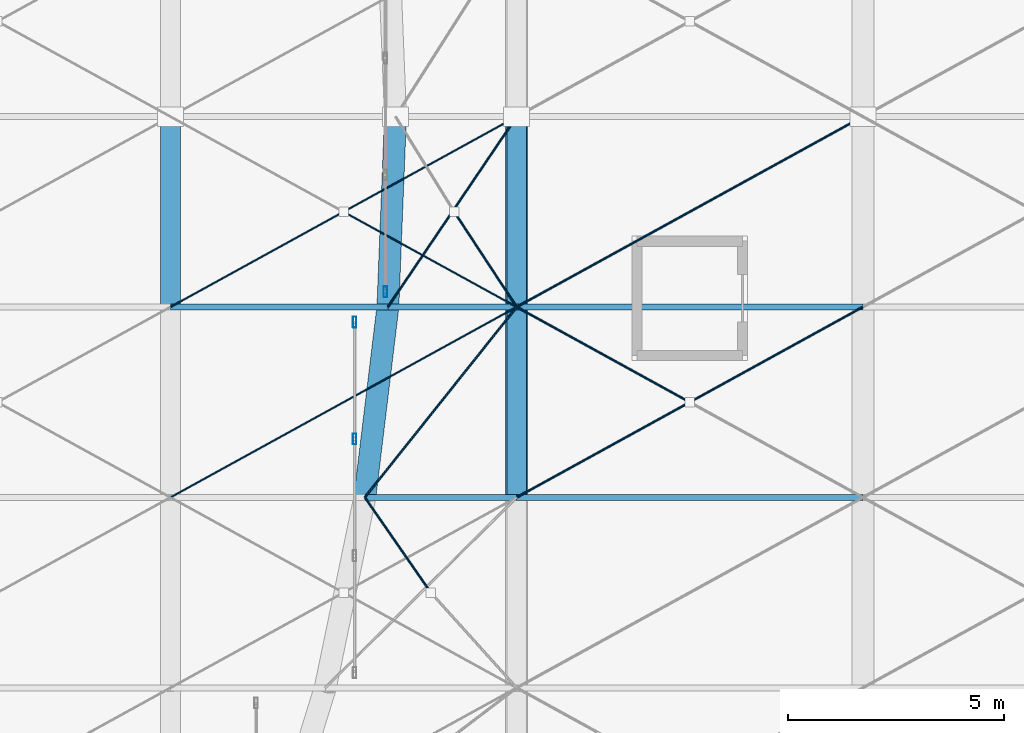
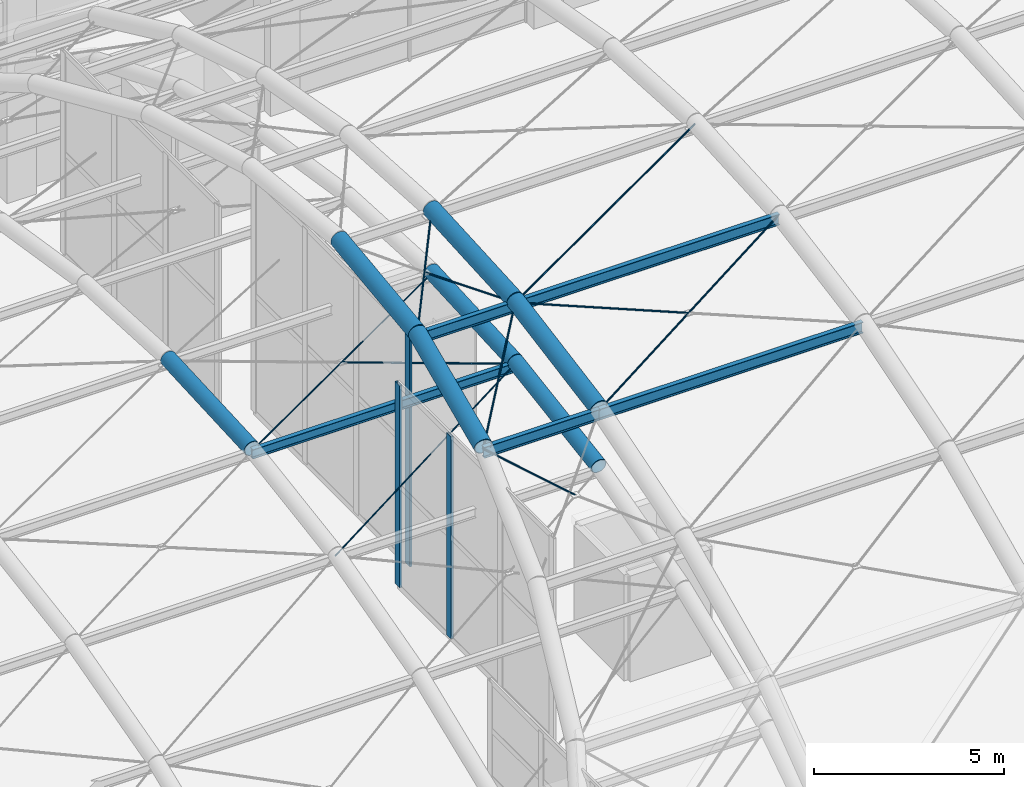
# One storey, part 44 of 163: 13 members, 12 beams, 2 elements without a shape of their own.
"""IFC4 building model written with IfcOpenShell, lengths in metres."""

import ifcopenshell
import ifcopenshell.guid

model = None  # the IFC model being written
_history = None  # IfcOwnerHistory: only IFC2X3 demands one
_inside = {}  # id of a spatial element -> (the spatial element, [elements in it])
_under = {}  # id of a project, library or spatial element -> (it, [spatial elements below it])
_declared = {}  # id of a project -> (the project, [libraries it declares])
_typed = {}  # id of a type object -> (the type object, [elements of that type])
_made_of = {}  # id of a material, layer set ... -> (it, [elements and type objects made of it])


def new_model(schema):
    """Start an empty IFC model of exactly this schema.

    Asked for "IFC4X3", IfcOpenShell would pick the latest addendum, in which some entities
    have other attributes; the version numbers below select the first issue.
    IFC2X3 requires an IfcOwnerHistory on every rooted entity: one is made here for all.
    """
    global model, _history
    if schema == "IFC4X3":
        model = ifcopenshell.file(schema_version=(4, 3, 0, 0))
    else:
        model = ifcopenshell.file(schema=schema)
    _inside.clear()
    _under.clear()
    _declared.clear()
    _typed.clear()
    _made_of.clear()
    _history = None
    if model.schema == "IFC2X3":
        org = make("IfcOrganization", Name="unknown")
        user = make(
            "IfcPersonAndOrganization",
            ThePerson=make("IfcPerson", FamilyName="unknown"),
            TheOrganization=org,
        )
        app = make(
            "IfcApplication",
            ApplicationDeveloper=org,
            Version="unknown",
            ApplicationFullName="unknown",
            ApplicationIdentifier="unknown",
        )
        _history = make(
            "IfcOwnerHistory",
            OwningUser=user,
            OwningApplication=app,
            ChangeAction="ADDED",
            CreationDate=0,
        )
    return model


def make(cls, **values):
    """One entity of the class cls with the attributes given. An attribute that is None is left unset."""
    return model.create_entity(
        cls, **{name: value for name, value in values.items() if value is not None}
    )


def rooted(cls, **values):
    """An entity with a GlobalId (a new one), such as an element, a storey or a relation."""
    return make(cls, GlobalId=ifcopenshell.guid.new(), OwnerHistory=_history, **values)


def si_unit(unit_type, name, prefix=None):
    """IfcSIUnit, for example si_unit("LENGTHUNIT", "METRE", prefix="MILLI")."""
    return make("IfcSIUnit", UnitType=unit_type, Prefix=prefix, Name=name)


def assignment(units):
    """IfcUnitAssignment: the units of a project."""
    return None if units is None else make("IfcUnitAssignment", Units=units)


def point(xyz):
    """IfcCartesianPoint."""
    return None if xyz is None else make("IfcCartesianPoint", Coordinates=xyz)


def direction(xyz):
    """IfcDirection."""
    return None if xyz is None else make("IfcDirection", DirectionRatios=xyz)


def frame(location, z_axis=None, x_axis=None):
    """IfcAxis2Placement3D, a coordinate frame: its origin and axes. An axis left out is left unset."""
    return make(
        "IfcAxis2Placement3D",
        Location=point(location),
        Axis=direction(z_axis),
        RefDirection=direction(x_axis),
    )


def frame_2d(location, x_axis=None):
    """IfcAxis2Placement2D, a coordinate frame in the plane: its origin and x axis."""
    return make(
        "IfcAxis2Placement2D", Location=point(location), RefDirection=direction(x_axis)
    )


def origin():
    """The frame at (0, 0, 0) with its axes left unset."""
    return frame((0.0, 0.0, 0.0))


def origin_2d():
    """The frame at (0, 0) in the plane with its x axis left unset."""
    return frame_2d((0.0, 0.0))


def place(relative_to, where):
    """IfcLocalPlacement: puts the frame where relative to a parent placement (None: the world)."""
    return make(
        "IfcLocalPlacement", PlacementRelTo=relative_to, RelativePlacement=where
    )


def context(
    kind, dimensions, precision=None, world=None, true_north=None, identifier=None
):
    """IfcGeometricRepresentationContext, for example the 3D "Model" context."""
    return make(
        "IfcGeometricRepresentationContext",
        ContextIdentifier=identifier,
        ContextType=kind,
        CoordinateSpaceDimension=dimensions,
        Precision=precision,
        WorldCoordinateSystem=world,
        TrueNorth=true_north,
    )


def subcontext(parent, identifier, kind, view, scale=None):
    """IfcGeometricRepresentationSubContext, for example "Body" below "Model"."""
    return make(
        "IfcGeometricRepresentationSubContext",
        ContextIdentifier=identifier,
        ContextType=kind,
        ParentContext=parent,
        TargetScale=scale,
        TargetView=view,
    )


def project(units=None, contexts=None):
    """IfcProject with its units and contexts."""
    return rooted(
        "IfcProject",
        Name="project",
        RepresentationContexts=contexts,
        UnitsInContext=assignment(units),
    )


def spatial(cls, under=None, at=None, **own):
    """A site, building, storey or space (cls), placed at a placement, below another one or the project."""
    s = rooted(cls, ObjectPlacement=at, **own)
    if under is not None:
        _under.setdefault(under.id(), (under, []))[1].append(s)
    return s


def profile(cls, at=None, kind="AREA", **sizes):
    """A parametric profile (cls). Its sizes go by their IFC names, for example OverallWidth=200.0."""
    return make(cls, ProfileType=kind, Position=at, **sizes)


def hollow_rectangle(**sizes):
    """IfcRectangleHollowProfileDef."""
    return profile("IfcRectangleHollowProfileDef", **sizes)


def circle(**sizes):
    """IfcCircleProfileDef."""
    return profile("IfcCircleProfileDef", **sizes)


def hollow_circle(**sizes):
    """IfcCircleHollowProfileDef."""
    return profile("IfcCircleHollowProfileDef", **sizes)


def i_section(**sizes):
    """IfcIShapeProfileDef."""
    return profile("IfcIShapeProfileDef", **sizes)


def extrude(swept, where, along, depth):
    """IfcExtrudedAreaSolid: the profile swept, set in the frame where, extruded along a direction by depth."""
    return make(
        "IfcExtrudedAreaSolid",
        SweptArea=swept,
        Position=where,
        ExtrudedDirection=direction(along),
        Depth=depth,
    )


def shape(context_of_items, identifier, shape_type, items):
    """IfcShapeRepresentation: the items that make up one representation, for example the "Body"."""
    return make(
        "IfcShapeRepresentation",
        ContextOfItems=context_of_items,
        RepresentationIdentifier=identifier,
        RepresentationType=shape_type,
        Items=items,
    )


def material(Name=None, Category=None):
    """IfcMaterial."""
    return make("IfcMaterial", Name=Name, Category=Category)


def material_profile(
    of_material, cross_section, Name=None, Category=None, Priority=None
):
    """IfcMaterialProfile: a cross section and its material."""
    return make(
        "IfcMaterialProfile",
        Name=Name,
        Material=of_material,
        Profile=cross_section,
        Priority=Priority,
        Category=Category,
    )


def profile_set(profiles, Name=None, composite=None):
    """IfcMaterialProfileSet."""
    return make(
        "IfcMaterialProfileSet",
        Name=Name,
        MaterialProfiles=profiles,
        CompositeProfile=composite,
    )


def made_of(thing, what):
    """Note that an element or type object is made of a material, layer set ...; save() writes the relation."""
    if what is not None:
        _made_of.setdefault(what.id(), (what, []))[1].append(thing)
    return thing


def type_object(cls, material=None, **own):
    """A type object (cls), such as IfcWallType, which elements share."""
    return made_of(rooted(cls, **own), material)


def element(
    cls,
    number,
    at=None,
    inside=None,
    cuts=None,
    type_object=None,
    material=None,
    context=None,
    identifier="Body",
    shape_type=None,
    held_by="IfcProductDefinitionShape",
    body=None,
    shapes=None,
    **own,
):
    """One element of the class cls, such as IfcWall. Its Tag is "e" and its number.

    at: its placement. inside: the storey or other place that contains it. cuts: it is an
    opening in that element (IfcRelVoidsElement). A single representation is given by context,
    identifier, shape_type and body (its items); several are given by shapes. held_by: the class
    of the entity that holds the representations. save() writes the other relations.
    """
    e = rooted(cls, Tag="e%d" % number, ObjectPlacement=at, **own)
    if body is not None:
        shapes = [shape(context, identifier, shape_type, body)]
    if shapes is not None:
        e.Representation = make(held_by, Representations=shapes)
    if inside is not None:
        _inside.setdefault(inside.id(), (inside, []))[1].append(e)
    if cuts is not None:
        rooted(
            "IfcRelVoidsElement", RelatingBuildingElement=cuts, RelatedOpeningElement=e
        )
    if type_object is not None:
        _typed.setdefault(type_object.id(), (type_object, []))[1].append(e)
    return made_of(e, material)


def aggregate(whole, parts):
    """IfcRelAggregates: a whole, such as a stair, and the parts it consists of."""
    return rooted("IfcRelAggregates", RelatingObject=whole, RelatedObjects=parts)


def save(model, path):
    """Write the relations noted so far, then the file.

    IfcRelAggregates (storeys below a building ...), IfcRelContainedInSpatialStructure (elements
    in a storey), IfcRelDefinesByType, IfcRelAssociatesMaterial and IfcRelDeclares: one each for
    every whole, place, type object, material and project.
    """
    for whole, parts in _under.values():
        aggregate(whole, parts)
    for where, things in _inside.values():
        rooted(
            "IfcRelContainedInSpatialStructure",
            RelatedElements=things,
            RelatingStructure=where,
        )
    for kind, things in _typed.values():
        rooted("IfcRelDefinesByType", RelatedObjects=things, RelatingType=kind)
    for what, things in _made_of.values():
        rooted("IfcRelAssociatesMaterial", RelatedObjects=things, RelatingMaterial=what)
    for by, libraries in _declared.values():
        rooted("IfcRelDeclares", RelatingContext=by, RelatedDefinitions=libraries)
    model.write(path)


model = new_model("IFC4")

# Units and contexts
model_context = context("Model", 3, precision=1e-05, world=origin(), true_north=direction((0.0, 1.0)))
body_context = subcontext(model_context, "Body", "Model", "MODEL_VIEW")
ifc_project = project(units=[si_unit("LENGTHUNIT", "METRE"), si_unit("AREAUNIT", "SQUARE_METRE"), si_unit("VOLUMEUNIT", "CUBIC_METRE"), si_unit("PLANEANGLEUNIT", "RADIAN"), si_unit("MASSUNIT", "GRAM", prefix="KILO")], contexts=[model_context])

# Site, building, storey
site_placement = place(None, origin())
site = spatial("IfcSite", under=ifc_project, at=site_placement, CompositionType="ELEMENT")
building_placement = place(site_placement, origin())
building = spatial("IfcBuilding", under=site, at=building_placement, Name="Varnabhumi Central Station", CompositionType="ELEMENT")
storey_placement = place(building_placement, frame((0.0, 0.0, 9.60009765625)))
storey = spatial("IfcBuildingStorey", under=building, at=storey_placement, Name="L02", CompositionType="ELEMENT", Elevation=9.60009765625)

# Beams
ifc_material_1 = material(Name="Structural steel E450", Category="steel")
ifc_material_profile_1 = material_profile(ifc_material_1, hollow_circle(Radius=0.228515625, WallThickness=0.01611328125, at=origin_2d()), Name="Structural steel E450", Category="steel")
ifc_profile_set_1 = profile_set([ifc_material_profile_1], Name="Structural steel E450")
beam_type_1 = type_object("IfcBeamType", Name="BM-ARCH-CHS457", PredefinedType="BEAM", material=ifc_profile_set_1)
beam_1_placement = place(storey_placement, frame((72.0, 53.60009765625, 10.520263671875), z_axis=(0.0, 0.998639632098, 0.052142930518), x_axis=(-1.0, 0.0, 0.0)))
element("IfcBeam", 1, at=beam_1_placement, inside=storey, type_object=beam_type_1, Name="Ticket Hall Vault Arch Rib 5 Seg 5", PredefinedType="BEAM", context=body_context, shape_type="SweptSolid", body=[
    extrude(hollow_circle(Radius=0.228515625, WallThickness=0.01611328125, at=origin_2d()), origin(), (0.0, 0.0, 1.0), 4.406005859375),
])
beam_2_placement = place(storey_placement, frame((80.0, 49.199951171875, 9.8232421875), z_axis=(0.0, 0.987684638155, 0.156457839535), x_axis=(-1.0, 0.0, 0.0)))
element("IfcBeam", 2, at=beam_2_placement, inside=storey, type_object=beam_type_1, Name="Ticket Hall Vault Arch Rib 6 Seg 4", PredefinedType="BEAM", context=body_context, shape_type="SweptSolid", body=[
    extrude(hollow_circle(Radius=0.228515625, WallThickness=0.01611328125, at=origin_2d()), origin(), (0.0, 0.0, 1.0), 4.455078125),
])
beam_3_placement = place(storey_placement, frame((80.0, 53.60009765625, 10.520263671875), z_axis=(0.0, 0.998639632098, 0.052142930518), x_axis=(-1.0, 0.0, 0.0)))
element("IfcBeam", 3, at=beam_3_placement, inside=storey, type_object=beam_type_1, Name="Ticket Hall Vault Arch Rib 6 Seg 5", PredefinedType="BEAM", context=body_context, shape_type="SweptSolid", body=[
    extrude(hollow_circle(Radius=0.228515625, WallThickness=0.01611328125, at=origin_2d()), origin(), (0.0, 0.0, 1.0), 4.406005859375),
])
ifc_material_2 = material(Name="Structural steel E350", Category="steel")
ifc_material_profile_2 = material_profile(ifc_material_2, hollow_circle(Radius=0.25390625, WallThickness=0.02001953125, at=origin_2d()), Name="Structural steel E350", Category="steel")
ifc_profile_set_2 = profile_set([ifc_material_profile_2], Name="Structural steel E350")
beam_type_2 = type_object("IfcBeamType", Name="BM-ARCH-CHS508", PredefinedType="BEAM", material=ifc_profile_set_2)
beam_4_placement = place(storey_placement, frame((76.491455078125, 49.199951171875, 11.68701171875), z_axis=(0.118334185872, 0.976975278042, 0.177528382377), x_axis=(-0.992744345989, 0.120244182838, 0.0)))
element("IfcBeam", 4, at=beam_4_placement, inside=storey, type_object=beam_type_2, Name="Departure Concourse Vault Arch Rib 1 Seg 4", PredefinedType="BEAM", context=body_context, shape_type="SweptSolid", body=[
    extrude(hollow_circle(Radius=0.25390625, WallThickness=0.02001953125, at=origin_2d()), origin(), (0.0, 0.0, 1.0), 4.50390625),
])
beam_5_placement = place(storey_placement, frame((77.0244140625, 53.60009765625, 12.486572265625), z_axis=(0.039792827484, 0.997421887225, 0.059716913568), x_axis=(-0.999205116003, 0.039863970614, 0.0)))
element("IfcBeam", 5, at=beam_5_placement, inside=storey, type_object=beam_type_2, Name="Departure Concourse Vault Arch Rib 1 Seg 5", PredefinedType="BEAM", context=body_context, shape_type="SweptSolid", body=[
    extrude(hollow_circle(Radius=0.25390625, WallThickness=0.02001953125, at=origin_2d()), origin(), (0.0, 0.0, 1.0), 4.411376953125),
])
beam_6_placement = place(storey_placement, frame((80.0, 49.199951171875, 11.68701171875), z_axis=(0.0, 0.983888247404, 0.17878455364), x_axis=(-1.0, 0.0, 0.0)))
element("IfcBeam", 6, at=beam_6_placement, inside=storey, type_object=beam_type_2, Name="Departure Concourse Vault Arch Rib 2 Seg 4", PredefinedType="BEAM", context=body_context, shape_type="SweptSolid", body=[
    extrude(hollow_circle(Radius=0.25390625, WallThickness=0.02001953125, at=origin_2d()), origin(), (0.0, 0.0, 1.0), 4.47216796875),
])
beam_7_placement = place(storey_placement, frame((80.0, 53.60009765625, 12.486572265625), z_axis=(0.0, 0.998212519684, 0.059764249736), x_axis=(-1.0, 0.0, 0.0)))
element("IfcBeam", 7, at=beam_7_placement, inside=storey, type_object=beam_type_2, Name="Departure Concourse Vault Arch Rib 2 Seg 5", PredefinedType="BEAM", context=body_context, shape_type="SweptSolid", body=[
    extrude(hollow_circle(Radius=0.25390625, WallThickness=0.02001953125, at=origin_2d()), origin(), (0.0, 0.0, 1.0), 4.40771484375),
])
ifc_material_profile_3 = material_profile(ifc_material_2, i_section(OverallWidth=0.139892578125, OverallDepth=0.300048828125, WebThickness=0.0078125, FlangeThickness=0.01318359375, FilletRadius=0.013916015625, at=origin_2d()), Name="Structural steel E350", Category="steel")
ifc_profile_set_3 = profile_set([ifc_material_profile_3], Name="Structural steel E350")
beam_type_3 = type_object("IfcBeamType", Name="BM-PUR-ISMB300", PredefinedType="LINTEL", material=ifc_profile_set_3)
beam_8_placement = place(storey_placement, frame((72.0, 53.60009765625, 10.370361328125), z_axis=(1.0, 0.0, 0.0), x_axis=(0.0, 1.0, 0.0)))
element("IfcBeam", 8, at=beam_8_placement, inside=storey, type_object=beam_type_3, Name="Ticket Hall Vault Purlin B5-L4", PredefinedType="LINTEL", context=body_context, shape_type="SweptSolid", body=[
    extrude(i_section(OverallWidth=0.139892578125, OverallDepth=0.300048828125, WebThickness=0.0078125, FlangeThickness=0.01318359375, FilletRadius=0.013916015625, at=origin_2d()), origin(), (0.0, 0.0, 1.0), 8.0),
])
ifc_material_profile_4 = material_profile(ifc_material_2, i_section(OverallWidth=0.139892578125, OverallDepth=0.35009765625, WebThickness=0.008056640625, FlangeThickness=0.01416015625, FilletRadius=0.013916015625, at=origin_2d()), Name="Structural steel E350", Category="steel")
ifc_profile_set_4 = profile_set([ifc_material_profile_4], Name="Structural steel E350")
beam_type_4 = type_object("IfcBeamType", Name="BM-PUR-ISMB350", PredefinedType="LINTEL", material=ifc_profile_set_4)
beam_9_placement = place(storey_placement, frame((76.491455078125, 49.199951171875, 11.511962890625), z_axis=(1.0, 0.0, 0.0), x_axis=(0.0, 1.0, 0.0)))
element("IfcBeam", 9, at=beam_9_placement, inside=storey, type_object=beam_type_4, Name="Departure Concourse Vault Purlin B1-L3", PredefinedType="LINTEL", context=body_context, shape_type="SweptSolid", body=[
    extrude(i_section(OverallWidth=0.139892578125, OverallDepth=0.35009765625, WebThickness=0.008056640625, FlangeThickness=0.01416015625, FilletRadius=0.013916015625, at=origin_2d()), origin(), (0.0, 0.0, 1.0), 3.508544921875),
])
beam_10_placement = place(storey_placement, frame((77.0244140625, 53.60009765625, 12.3115234375), z_axis=(1.0, 0.0, 0.0), x_axis=(0.0, 1.0, 0.0)))
element("IfcBeam", 10, at=beam_10_placement, inside=storey, type_object=beam_type_4, Name="Departure Concourse Vault Purlin B1-L4", PredefinedType="LINTEL", context=body_context, shape_type="SweptSolid", body=[
    extrude(i_section(OverallWidth=0.139892578125, OverallDepth=0.35009765625, WebThickness=0.008056640625, FlangeThickness=0.01416015625, FilletRadius=0.013916015625, at=origin_2d()), origin(), (0.0, 0.0, 1.0), 2.9755859375),
])
for number, where, z_axis, x_axis, name in (
    (11, (80.0, 49.199951171875, 11.511962890625), (1.0, 0.0, 0.0), (0.0, 1.0, 0.0), "Departure Concourse Vault Purlin B2-L3"),
    (12, (80.0, 53.60009765625, 12.3115234375), (1.0, 0.0, 0.0), (0.0, 1.0, 0.0), "Departure Concourse Vault Purlin B2-L4"),
):
    element("IfcBeam", number, at=place(storey_placement, frame(where, z_axis=z_axis, x_axis=x_axis)), inside=storey, type_object=beam_type_4, Name=name, PredefinedType="LINTEL", context=body_context, shape_type="SweptSolid", body=[
        extrude(i_section(OverallWidth=0.139892578125, OverallDepth=0.35009765625, WebThickness=0.008056640625, FlangeThickness=0.01416015625, FilletRadius=0.013916015625, at=origin_2d()), origin(), (0.0, 0.0, 1.0), 8.0),
    ])

# Curtain wall, members
ifc_material_3 = material(Name="Anodised aluminium 6063-T6", Category="aluminium")
curtain_wall_type = type_object("IfcCurtainWallType", Name="CW-VAULT-ARCH-V4", PredefinedType="NOTDEFINED", material=ifc_material_3)
curtain_wall_1_placement = place(storey_placement, origin())
curtain_wall_1 = element("IfcCurtainWall", 13, at=curtain_wall_1_placement, inside=storey, type_object=curtain_wall_type, Name="Curtain Wall CW-V42", PredefinedType="NOTDEFINED")
ifc_material_profile_5 = material_profile(ifc_material_3, hollow_rectangle(XDim=0.080078125, YDim=0.25, WallThickness=0.0048828125, InnerFilletRadius=0.0009765625, OuterFilletRadius=0.006103515625, at=origin_2d()), Name="Anodised aluminium 6063-T6", Category="aluminium")
ifc_profile_set_5 = profile_set([ifc_material_profile_5], Name="Anodised aluminium 6063-T6")
member_type_1 = type_object("IfcMemberType", Name="CW-MUL-250", PredefinedType="MULLION", material=ifc_profile_set_5)
member_1_placement = place(storey_placement, frame((76.258056640625, 50.550048828125, 4.849853515625), z_axis=(0.0, 0.0, 1.0), x_axis=(1.0, 0.0, 0.0)))
member_1 = element("IfcMember", 14, at=member_1_placement, type_object=member_type_1, Name="Curtain Wall Mullion CW-V42-M3", PredefinedType="MULLION", context=body_context, shape_type="SweptSolid", body=[
    extrude(hollow_rectangle(XDim=0.080078125, YDim=0.25, WallThickness=0.0048828125, InnerFilletRadius=0.0009765625, OuterFilletRadius=0.006103515625, at=origin_2d()), origin(), (0.0, 0.0, 1.0), 6.487060546875),
])
member_2_placement = place(storey_placement, frame((76.258056640625, 53.25, 4.849853515625), z_axis=(0.0, 0.0, 1.0), x_axis=(1.0, 0.0, 0.0)))
member_2 = element("IfcMember", 15, at=member_2_placement, type_object=member_type_1, Name="Curtain Wall Mullion CW-V42-M4", PredefinedType="MULLION", context=body_context, shape_type="SweptSolid", body=[
    extrude(hollow_rectangle(XDim=0.080078125, YDim=0.25, WallThickness=0.0048828125, InnerFilletRadius=0.0009765625, OuterFilletRadius=0.006103515625, at=origin_2d()), origin(), (0.0, 0.0, 1.0), 6.487060546875),
])
aggregate(curtain_wall_1, [member_1, member_2])

# Curtain wall, member
curtain_wall_2_placement = place(storey_placement, origin())
curtain_wall_2 = element("IfcCurtainWall", 16, at=curtain_wall_2_placement, inside=storey, type_object=curtain_wall_type, Name="Curtain Wall CW-V43", PredefinedType="NOTDEFINED")
member_3_placement = place(storey_placement, frame((76.967041015625, 53.949951171875, 4.849853515625), z_axis=(0.0, 0.0, 1.0), x_axis=(1.0, 0.0, 0.0)))
member_3 = element("IfcMember", 17, at=member_3_placement, type_object=member_type_1, Name="Curtain Wall Mullion CW-V43-M1", PredefinedType="MULLION", context=body_context, shape_type="SweptSolid", body=[
    extrude(hollow_rectangle(XDim=0.080078125, YDim=0.25, WallThickness=0.0048828125, InnerFilletRadius=0.0009765625, OuterFilletRadius=0.006103515625, at=origin_2d()), origin(), (0.0, 0.0, 1.0), 7.550048828125),
])
aggregate(curtain_wall_2, [member_3])

# Members
ifc_material_4 = material(Name="Spiral-strand steel S1570", Category="steel")
ifc_material_profile_6 = material_profile(ifc_material_4, circle(Radius=0.02099609375, at=origin_2d()), Name="Spiral-strand steel S1570", Category="steel")
ifc_profile_set_6 = profile_set([ifc_material_profile_6], Name="Spiral-strand steel S1570")
member_type_2 = type_object("IfcMemberType", Name="MBR-CABLE-D42", PredefinedType="USERDEFINED", material=ifc_profile_set_6)
member_4_placement = place(storey_placement, frame((72.0, 49.199951171875, 9.743408203125), z_axis=(0.873668690933, 0.480533777365, 0.076094068723), x_axis=(-0.481931067474, 0.876209133828, 0.0)))
element("IfcMember", 18, at=member_4_placement, inside=storey, type_object=member_type_2, Name="Ticket Hall Vault Cable-Net Tie B5-P4A", ObjectType="TENSION CABLE", PredefinedType="USERDEFINED", context=body_context, shape_type="SweptSolid", body=[
    extrude(circle(Radius=0.02099609375, at=origin_2d()), origin(), (0.0, 0.0, 1.0), 9.15673828125),
])
member_5_placement = place(storey_placement, frame((72.0, 53.60009765625, 10.440185546875), z_axis=(0.875943167688, 0.481758049563, 0.025154495874), x_axis=(-0.481910537812, 0.876220425204, 0.0)))
element("IfcMember", 19, at=member_5_placement, inside=storey, type_object=member_type_2, Name="Ticket Hall Vault Cable-Net Tie B5-P5A", ObjectType="TENSION CABLE", PredefinedType="USERDEFINED", context=body_context, shape_type="SweptSolid", body=[
    extrude(circle(Radius=0.02099609375, at=origin_2d()), origin(), (0.0, 0.0, 1.0), 9.133056640625),
])
member_6_placement = place(storey_placement, frame((76.0, 55.800048828125, 10.55517578125), z_axis=(0.875942578372, -0.481757725446, -0.025181210597), x_axis=(0.481910537812, 0.876220425204, 0.0)))
element("IfcMember", 20, at=member_6_placement, inside=storey, type_object=member_type_2, Name="Ticket Hall Vault Cable-Net Split Tie B5-P5B2", ObjectType="TENSION CABLE", PredefinedType="USERDEFINED", context=body_context, shape_type="SweptSolid", body=[
    extrude(circle(Radius=0.02099609375, at=origin_2d()), origin(), (0.0, 0.0, 1.0), 4.56640625),
])
ifc_material_profile_7 = material_profile(ifc_material_4, circle(Radius=0.027099609375, at=origin_2d()), Name="Spiral-strand steel S1570", Category="steel")
ifc_profile_set_7 = profile_set([ifc_material_profile_7], Name="Spiral-strand steel S1570")
member_type_3 = type_object("IfcMemberType", Name="MBR-CABLE-D54", PredefinedType="USERDEFINED", material=ifc_profile_set_7)
member_7_placement = place(storey_placement, frame((76.491455078125, 49.199951171875, 11.60693359375), z_axis=(0.552052080786, -0.79605397663, -0.248065649359), x_axis=(0.821738885077, 0.569864198518, 0.0)))
element("IfcMember", 21, at=member_7_placement, inside=storey, type_object=member_type_3, Name="Departure Concourse Vault Cable-Net Split Tie B1-P3B1", ObjectType="TENSION CABLE", PredefinedType="USERDEFINED", context=body_context, shape_type="SweptSolid", body=[
    extrude(circle(Radius=0.027099609375, at=origin_2d()), origin(), (0.0, 0.0, 1.0), 2.763671875),
])
member_8_placement = place(storey_placement, frame((76.491455078125, 49.199951171875, 11.60693359375), z_axis=(0.617241871441, 0.774097157399, 0.140662941269), x_axis=(-0.78187087555, 0.623440401295, 0.0)))
element("IfcMember", 22, at=member_8_placement, inside=storey, type_object=member_type_3, Name="Departure Concourse Vault Cable-Net Tie B1-P4A", ObjectType="TENSION CABLE", PredefinedType="USERDEFINED", context=body_context, shape_type="SweptSolid", body=[
    extrude(circle(Radius=0.027099609375, at=origin_2d()), origin(), (0.0, 0.0, 1.0), 5.684326171875),
])
member_9_placement = place(storey_placement, frame((77.0244140625, 53.60009765625, 12.406494140625), z_axis=(0.559515954748, 0.82733808143, 0.049533780372), x_axis=(-0.828354929468, 0.560203633357, 0.0)))
element("IfcMember", 23, at=member_9_placement, inside=storey, type_object=member_type_3, Name="Departure Concourse Vault Cable-Net Tie B1-P5A", ObjectType="TENSION CABLE", PredefinedType="USERDEFINED", context=body_context, shape_type="SweptSolid", body=[
    extrude(circle(Radius=0.027099609375, at=origin_2d()), origin(), (0.0, 0.0, 1.0), 5.318115234375),
])
member_10_placement = place(storey_placement, frame((78.55615234375, 55.800048828125, 12.5380859375), z_axis=(0.548006107021, -0.834981912472, -0.049945094975), x_axis=(0.836025301353, 0.548690892487, 0.0)))
element("IfcMember", 24, at=member_10_placement, inside=storey, type_object=member_type_3, Name="Departure Concourse Vault Cable-Net Split Tie B1-P5B2", ObjectType="TENSION CABLE", PredefinedType="USERDEFINED", context=body_context, shape_type="SweptSolid", body=[
    extrude(circle(Radius=0.027099609375, at=origin_2d()), origin(), (0.0, 0.0, 1.0), 2.634765625),
])
member_11_placement = place(storey_placement, frame((80.0, 49.199951171875, 11.60693359375), z_axis=(0.872868515511, 0.480093666231, 0.087238903451), x_axis=(-0.481931067474, 0.876209133828, 0.0)))
element("IfcMember", 25, at=member_11_placement, inside=storey, type_object=member_type_3, Name="Departure Concourse Vault Cable-Net Tie B2-P4A", ObjectType="TENSION CABLE", PredefinedType="USERDEFINED", context=body_context, shape_type="SweptSolid", body=[
    extrude(circle(Radius=0.027099609375, at=origin_2d()), origin(), (0.0, 0.0, 1.0), 9.165283203125),
])
member_12_placement = place(storey_placement, frame((80.0, 53.60009765625, 12.406494140625), z_axis=(0.872859380641, -0.480115279439, -0.087211352912), x_axis=(0.481951596342, 0.876197842262, 0.0)))
element("IfcMember", 26, at=member_12_placement, inside=storey, type_object=member_type_3, Name="Departure Concourse Vault Cable-Net Split Tie B2-P4B1", ObjectType="TENSION CABLE", PredefinedType="USERDEFINED", context=body_context, shape_type="SweptSolid", body=[
    extrude(circle(Radius=0.027099609375, at=origin_2d()), origin(), (0.0, 0.0, 1.0), 4.58251953125),
])
member_13_placement = place(storey_placement, frame((80.0, 53.60009765625, 12.406494140625), z_axis=(0.875855938164, 0.481710074389, 0.028840593179), x_axis=(-0.481910537812, 0.876220425204, 0.0)))
element("IfcMember", 27, at=member_13_placement, inside=storey, type_object=member_type_3, Name="Departure Concourse Vault Cable-Net Tie B2-P5A", ObjectType="TENSION CABLE", PredefinedType="USERDEFINED", context=body_context, shape_type="SweptSolid", body=[
    extrude(circle(Radius=0.027099609375, at=origin_2d()), origin(), (0.0, 0.0, 1.0), 9.134033203125),
])

save(model, "model.ifc")
